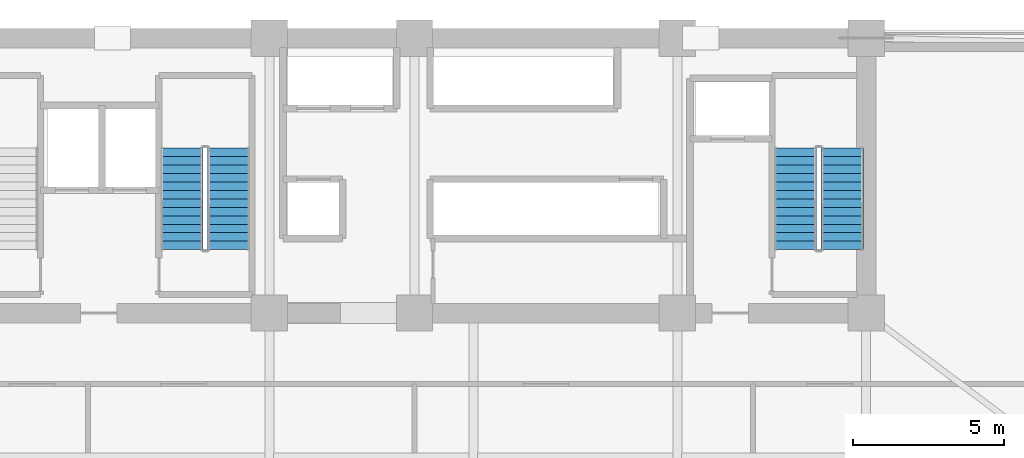
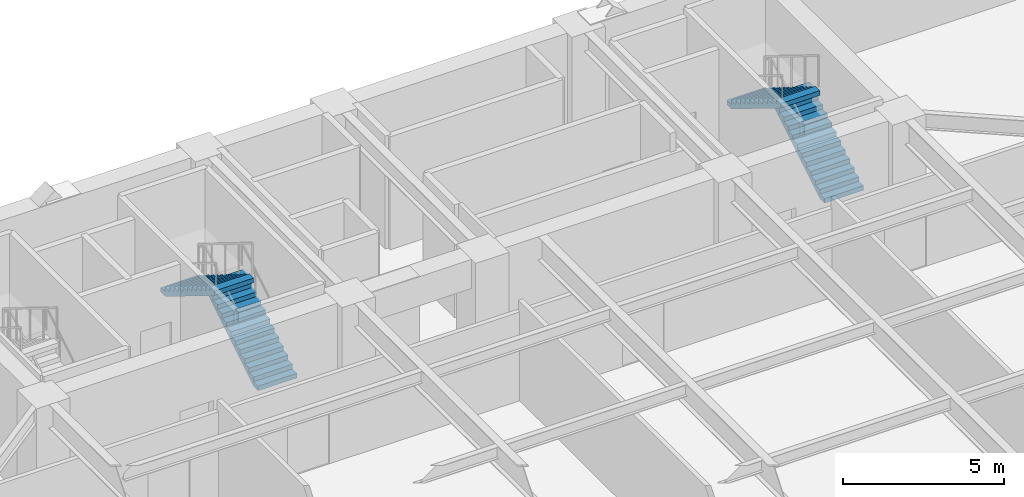
# One storey, part 4 of 9: 4 stair flights, 2 elements without a shape of their own.
"""IFC4 building model written with IfcOpenShell, lengths in metres."""

import ifcopenshell
import ifcopenshell.guid

model = None  # the IFC model being written
_history = None  # IfcOwnerHistory: only IFC2X3 demands one
_inside = {}  # id of a spatial element -> (the spatial element, [elements in it])
_under = {}  # id of a project, library or spatial element -> (it, [spatial elements below it])
_declared = {}  # id of a project -> (the project, [libraries it declares])
_typed = {}  # id of a type object -> (the type object, [elements of that type])
_made_of = {}  # id of a material, layer set ... -> (it, [elements and type objects made of it])


def new_model(schema):
    """Start an empty IFC model of exactly this schema.

    Asked for "IFC4X3", IfcOpenShell would pick the latest addendum, in which some entities
    have other attributes; the version numbers below select the first issue.
    IFC2X3 requires an IfcOwnerHistory on every rooted entity: one is made here for all.
    """
    global model, _history
    if schema == "IFC4X3":
        model = ifcopenshell.file(schema_version=(4, 3, 0, 0))
    else:
        model = ifcopenshell.file(schema=schema)
    _inside.clear()
    _under.clear()
    _declared.clear()
    _typed.clear()
    _made_of.clear()
    _history = None
    if model.schema == "IFC2X3":
        org = make("IfcOrganization", Name="unknown")
        user = make(
            "IfcPersonAndOrganization",
            ThePerson=make("IfcPerson", FamilyName="unknown"),
            TheOrganization=org,
        )
        app = make(
            "IfcApplication",
            ApplicationDeveloper=org,
            Version="unknown",
            ApplicationFullName="unknown",
            ApplicationIdentifier="unknown",
        )
        _history = make(
            "IfcOwnerHistory",
            OwningUser=user,
            OwningApplication=app,
            ChangeAction="ADDED",
            CreationDate=0,
        )
    return model


def make(cls, **values):
    """One entity of the class cls with the attributes given. An attribute that is None is left unset."""
    return model.create_entity(
        cls, **{name: value for name, value in values.items() if value is not None}
    )


def rooted(cls, **values):
    """An entity with a GlobalId (a new one), such as an element, a storey or a relation."""
    return make(cls, GlobalId=ifcopenshell.guid.new(), OwnerHistory=_history, **values)


def si_unit(unit_type, name, prefix=None):
    """IfcSIUnit, for example si_unit("LENGTHUNIT", "METRE", prefix="MILLI")."""
    return make("IfcSIUnit", UnitType=unit_type, Prefix=prefix, Name=name)


def assignment(units):
    """IfcUnitAssignment: the units of a project."""
    return None if units is None else make("IfcUnitAssignment", Units=units)


def point(xyz):
    """IfcCartesianPoint."""
    return None if xyz is None else make("IfcCartesianPoint", Coordinates=xyz)


def direction(xyz):
    """IfcDirection."""
    return None if xyz is None else make("IfcDirection", DirectionRatios=xyz)


def frame(location, z_axis=None, x_axis=None):
    """IfcAxis2Placement3D, a coordinate frame: its origin and axes. An axis left out is left unset."""
    return make(
        "IfcAxis2Placement3D",
        Location=point(location),
        Axis=direction(z_axis),
        RefDirection=direction(x_axis),
    )


def origin():
    """The frame at (0, 0, 0) with its axes left unset."""
    return frame((0.0, 0.0, 0.0))


def place(relative_to, where):
    """IfcLocalPlacement: puts the frame where relative to a parent placement (None: the world)."""
    return make(
        "IfcLocalPlacement", PlacementRelTo=relative_to, RelativePlacement=where
    )


def context(
    kind, dimensions, precision=None, world=None, true_north=None, identifier=None
):
    """IfcGeometricRepresentationContext, for example the 3D "Model" context."""
    return make(
        "IfcGeometricRepresentationContext",
        ContextIdentifier=identifier,
        ContextType=kind,
        CoordinateSpaceDimension=dimensions,
        Precision=precision,
        WorldCoordinateSystem=world,
        TrueNorth=true_north,
    )


def subcontext(parent, identifier, kind, view, scale=None):
    """IfcGeometricRepresentationSubContext, for example "Body" below "Model"."""
    return make(
        "IfcGeometricRepresentationSubContext",
        ContextIdentifier=identifier,
        ContextType=kind,
        ParentContext=parent,
        TargetScale=scale,
        TargetView=view,
    )


def project(units=None, contexts=None):
    """IfcProject with its units and contexts."""
    return rooted(
        "IfcProject",
        Name="project",
        RepresentationContexts=contexts,
        UnitsInContext=assignment(units),
    )


def spatial(cls, under=None, at=None, **own):
    """A site, building, storey or space (cls), placed at a placement, below another one or the project."""
    s = rooted(cls, ObjectPlacement=at, **own)
    if under is not None:
        _under.setdefault(under.id(), (under, []))[1].append(s)
    return s


def polyline(points):
    """IfcPolyline through the points."""
    return make("IfcPolyline", Points=[point(p) for p in points])


def outline(outer, holes=None, kind="AREA"):
    """IfcArbitraryClosedProfileDef: a profile drawn as a closed curve; with holes, ...WithVoids."""
    if holes is None:
        return make("IfcArbitraryClosedProfileDef", ProfileType=kind, OuterCurve=outer)
    return make(
        "IfcArbitraryProfileDefWithVoids",
        ProfileType=kind,
        OuterCurve=outer,
        InnerCurves=holes,
    )


def extrude(swept, where, along, depth):
    """IfcExtrudedAreaSolid: the profile swept, set in the frame where, extruded along a direction by depth."""
    return make(
        "IfcExtrudedAreaSolid",
        SweptArea=swept,
        Position=where,
        ExtrudedDirection=direction(along),
        Depth=depth,
    )


def shape(context_of_items, identifier, shape_type, items):
    """IfcShapeRepresentation: the items that make up one representation, for example the "Body"."""
    return make(
        "IfcShapeRepresentation",
        ContextOfItems=context_of_items,
        RepresentationIdentifier=identifier,
        RepresentationType=shape_type,
        Items=items,
    )


def material(Name=None, Category=None):
    """IfcMaterial."""
    return make("IfcMaterial", Name=Name, Category=Category)


def made_of(thing, what):
    """Note that an element or type object is made of a material, layer set ...; save() writes the relation."""
    if what is not None:
        _made_of.setdefault(what.id(), (what, []))[1].append(thing)
    return thing


def type_object(cls, material=None, **own):
    """A type object (cls), such as IfcWallType, which elements share."""
    return made_of(rooted(cls, **own), material)


def element(
    cls,
    number,
    at=None,
    inside=None,
    cuts=None,
    type_object=None,
    material=None,
    context=None,
    identifier="Body",
    shape_type=None,
    held_by="IfcProductDefinitionShape",
    body=None,
    shapes=None,
    **own,
):
    """One element of the class cls, such as IfcWall. Its Tag is "e" and its number.

    at: its placement. inside: the storey or other place that contains it. cuts: it is an
    opening in that element (IfcRelVoidsElement). A single representation is given by context,
    identifier, shape_type and body (its items); several are given by shapes. held_by: the class
    of the entity that holds the representations. save() writes the other relations.
    """
    e = rooted(cls, Tag="e%d" % number, ObjectPlacement=at, **own)
    if body is not None:
        shapes = [shape(context, identifier, shape_type, body)]
    if shapes is not None:
        e.Representation = make(held_by, Representations=shapes)
    if inside is not None:
        _inside.setdefault(inside.id(), (inside, []))[1].append(e)
    if cuts is not None:
        rooted(
            "IfcRelVoidsElement", RelatingBuildingElement=cuts, RelatedOpeningElement=e
        )
    if type_object is not None:
        _typed.setdefault(type_object.id(), (type_object, []))[1].append(e)
    return made_of(e, material)


def aggregate(whole, parts):
    """IfcRelAggregates: a whole, such as a stair, and the parts it consists of."""
    return rooted("IfcRelAggregates", RelatingObject=whole, RelatedObjects=parts)


def save(model, path):
    """Write the relations noted so far, then the file.

    IfcRelAggregates (storeys below a building ...), IfcRelContainedInSpatialStructure (elements
    in a storey), IfcRelDefinesByType, IfcRelAssociatesMaterial and IfcRelDeclares: one each for
    every whole, place, type object, material and project.
    """
    for whole, parts in _under.values():
        aggregate(whole, parts)
    for where, things in _inside.values():
        rooted(
            "IfcRelContainedInSpatialStructure",
            RelatedElements=things,
            RelatingStructure=where,
        )
    for kind, things in _typed.values():
        rooted("IfcRelDefinesByType", RelatedObjects=things, RelatingType=kind)
    for what, things in _made_of.values():
        rooted("IfcRelAssociatesMaterial", RelatedObjects=things, RelatingMaterial=what)
    for by, libraries in _declared.values():
        rooted("IfcRelDeclares", RelatingContext=by, RelatedDefinitions=libraries)
    model.write(path)


model = new_model("IFC4")

# Units and contexts
model_context = context("Model", 3, precision=1e-05, world=origin(), true_north=direction((0.0, 1.0)))
body_context = subcontext(model_context, "Body", "Model", "MODEL_VIEW")
ifc_project = project(units=[si_unit("LENGTHUNIT", "METRE"), si_unit("AREAUNIT", "SQUARE_METRE"), si_unit("VOLUMEUNIT", "CUBIC_METRE"), si_unit("PLANEANGLEUNIT", "RADIAN"), si_unit("MASSUNIT", "GRAM", prefix="KILO")], contexts=[model_context])

# Site, building, storey
site_placement = place(None, origin())
site = spatial("IfcSite", under=ifc_project, at=site_placement, CompositionType="ELEMENT")
building_placement = place(site_placement, origin())
building = spatial("IfcBuilding", under=site, at=building_placement, Name="Giltprow Tower", CompositionType="ELEMENT")
storey_placement = place(building_placement, frame((0.0, 0.0, 48.800048828125)))
storey = spatial("IfcBuildingStorey", under=building, at=storey_placement, Name="L12", CompositionType="ELEMENT", Elevation=48.800048828125)

# Stair, stair flights
ifc_material = material(Name="Concrete C40", Category="concrete")
stair_type_1 = type_object("IfcStairType", Name="STR-ST-2", PredefinedType="HALF_TURN_STAIR", material=ifc_material)
stair_1_placement = place(storey_placement, origin())
stair_1 = element("IfcStair", 1, at=stair_1_placement, inside=storey, type_object=stair_type_1, Name="L12 Core Exit Stair ST-2", PredefinedType="HALF_TURN_STAIR")
stair_flight_type_1 = type_object("IfcStairFlightType", Name="SFL-ST-2", PredefinedType="STRAIGHT", material=ifc_material)
stair_flight_1_placement = place(storey_placement, frame((29.4599609375, 39.550048828125, 0.0), z_axis=(0.0, 0.0, 1.0), x_axis=(0.0, 1.0, 0.0)))
stair_flight_1 = element("IfcStairFlight", 2, at=stair_flight_1_placement, type_object=stair_flight_type_1, Name="ST-2 flight 1", NumberOfRisers=13, NumberOfTreads=12, PredefinedType="STRAIGHT", RiserHeight=0.173076923, TreadLength=0.28, context=body_context, shape_type="SweptSolid", body=[
    extrude(outline(polyline([(0.0, 0.0), (0.0, 0.173095703125), (0.280029296875, 0.173095703125), (0.280029296875, 0.34619140625), (0.56005859375, 0.34619140625), (0.56005859375, 0.519287109375), (0.840087890625, 0.519287109375), (0.840087890625, 0.6923828125), (1.1201171875, 0.6923828125), (1.1201171875, 0.865478515625), (1.39990234375, 0.865478515625), (1.39990234375, 1.03857421875), (1.679931640625, 1.03857421875), (1.679931640625, 1.21142578125), (1.9599609375, 1.21142578125), (1.9599609375, 1.384521484375), (2.239990234375, 1.384521484375), (2.239990234375, 1.5576171875), (2.52001953125, 1.5576171875), (2.52001953125, 1.730712890625), (2.800048828125, 1.730712890625), (2.800048828125, 1.90380859375), (3.080078125, 1.90380859375), (3.080078125, 2.076904296875), (3.360107421875, 2.076904296875), (3.360107421875, 2.25), (3.360107421875, 1.900634765625), (0.28515625, 0.0), (0.0, 0.0)])), frame((0.0, 0.699951171875, 0.0), z_axis=(0.0, -1.0, 0.0), x_axis=(1.0, 0.0, 0.0)), (0.0, 0.0, 1.0), 1.39990234375),
])
stair_flight_2_placement = place(storey_placement, frame((27.89990234375, 42.909912109375, 2.25), z_axis=(0.0, 0.0, 1.0), x_axis=(0.0, -1.0, 0.0)))
stair_flight_2 = element("IfcStairFlight", 3, at=stair_flight_2_placement, type_object=stair_flight_type_1, Name="ST-2 flight 2", NumberOfRisers=13, NumberOfTreads=12, PredefinedType="STRAIGHT", RiserHeight=0.173076923, TreadLength=0.28, context=body_context, shape_type="SweptSolid", body=[
    extrude(outline(polyline([(0.0, 0.0), (0.0, 0.173095703125), (0.280029296875, 0.173095703125), (0.280029296875, 0.34619140625), (0.56005859375, 0.34619140625), (0.56005859375, 0.519287109375), (0.840087890625, 0.519287109375), (0.840087890625, 0.6923828125), (1.1201171875, 0.6923828125), (1.1201171875, 0.865478515625), (1.39990234375, 0.865478515625), (1.39990234375, 1.03857421875), (1.679931640625, 1.03857421875), (1.679931640625, 1.21142578125), (1.9599609375, 1.21142578125), (1.9599609375, 1.384521484375), (2.239990234375, 1.384521484375), (2.239990234375, 1.5576171875), (2.52001953125, 1.5576171875), (2.52001953125, 1.730712890625), (2.800048828125, 1.730712890625), (2.800048828125, 1.90380859375), (3.080078125, 1.90380859375), (3.080078125, 2.076904296875), (3.360107421875, 2.076904296875), (3.360107421875, 2.25), (3.360107421875, 1.900634765625), (0.28515625, 0.0), (0.0, 0.0)])), frame((0.0, 0.699951171875, 0.0), z_axis=(0.0, -1.0, 0.0), x_axis=(1.0, 0.0, 0.0)), (0.0, 0.0, 1.0), 1.39990234375),
])
aggregate(stair_1, [stair_flight_1, stair_flight_2])

stair_type_2 = type_object("IfcStairType", Name="STR-ST-3", PredefinedType="HALF_TURN_STAIR", material=ifc_material)
stair_2_placement = place(storey_placement, origin())
stair_2 = element("IfcStair", 4, at=stair_2_placement, inside=storey, type_object=stair_type_2, Name="L12 Core Exit Stair ST-3", PredefinedType="HALF_TURN_STAIR")
stair_flight_type_2 = type_object("IfcStairFlightType", Name="SFL-ST-3", PredefinedType="STRAIGHT", material=ifc_material)
stair_flight_3_placement = place(storey_placement, frame((49.760009765625, 39.550048828125, 0.0), z_axis=(0.0, 0.0, 1.0), x_axis=(0.0, 1.0, 0.0)))
stair_flight_3 = element("IfcStairFlight", 5, at=stair_flight_3_placement, type_object=stair_flight_type_2, Name="ST-3 flight 1", NumberOfRisers=13, NumberOfTreads=12, PredefinedType="STRAIGHT", RiserHeight=0.173076923, TreadLength=0.28, context=body_context, shape_type="SweptSolid", body=[
    extrude(outline(polyline([(0.0, 0.0), (0.0, 0.173095703125), (0.280029296875, 0.173095703125), (0.280029296875, 0.34619140625), (0.56005859375, 0.34619140625), (0.56005859375, 0.519287109375), (0.840087890625, 0.519287109375), (0.840087890625, 0.6923828125), (1.1201171875, 0.6923828125), (1.1201171875, 0.865478515625), (1.39990234375, 0.865478515625), (1.39990234375, 1.03857421875), (1.679931640625, 1.03857421875), (1.679931640625, 1.21142578125), (1.9599609375, 1.21142578125), (1.9599609375, 1.384521484375), (2.239990234375, 1.384521484375), (2.239990234375, 1.5576171875), (2.52001953125, 1.5576171875), (2.52001953125, 1.730712890625), (2.800048828125, 1.730712890625), (2.800048828125, 1.90380859375), (3.080078125, 1.90380859375), (3.080078125, 2.076904296875), (3.360107421875, 2.076904296875), (3.360107421875, 2.25), (3.360107421875, 1.900634765625), (0.28515625, 0.0), (0.0, 0.0)])), frame((0.0, 0.699951171875, 0.0), z_axis=(0.0, -1.0, 0.0), x_axis=(1.0, 0.0, 0.0)), (0.0, 0.0, 1.0), 1.39990234375),
])
stair_flight_4_placement = place(storey_placement, frame((48.199951171875, 42.909912109375, 2.25), z_axis=(0.0, 0.0, 1.0), x_axis=(0.0, -1.0, 0.0)))
stair_flight_4 = element("IfcStairFlight", 6, at=stair_flight_4_placement, type_object=stair_flight_type_2, Name="ST-3 flight 2", NumberOfRisers=13, NumberOfTreads=12, PredefinedType="STRAIGHT", RiserHeight=0.173076923, TreadLength=0.28, context=body_context, shape_type="SweptSolid", body=[
    extrude(outline(polyline([(0.0, 0.0), (0.0, 0.173095703125), (0.280029296875, 0.173095703125), (0.280029296875, 0.34619140625), (0.56005859375, 0.34619140625), (0.56005859375, 0.519287109375), (0.840087890625, 0.519287109375), (0.840087890625, 0.6923828125), (1.1201171875, 0.6923828125), (1.1201171875, 0.865478515625), (1.39990234375, 0.865478515625), (1.39990234375, 1.03857421875), (1.679931640625, 1.03857421875), (1.679931640625, 1.21142578125), (1.9599609375, 1.21142578125), (1.9599609375, 1.384521484375), (2.239990234375, 1.384521484375), (2.239990234375, 1.5576171875), (2.52001953125, 1.5576171875), (2.52001953125, 1.730712890625), (2.800048828125, 1.730712890625), (2.800048828125, 1.90380859375), (3.080078125, 1.90380859375), (3.080078125, 2.076904296875), (3.360107421875, 2.076904296875), (3.360107421875, 2.25), (3.360107421875, 1.900634765625), (0.28515625, 0.0), (0.0, 0.0)])), frame((0.0, 0.699951171875, 0.0), z_axis=(0.0, -1.0, 0.0), x_axis=(1.0, 0.0, 0.0)), (0.0, 0.0, 1.0), 1.39990234375),
])
aggregate(stair_2, [stair_flight_3, stair_flight_4])

save(model, "model.ifc")
